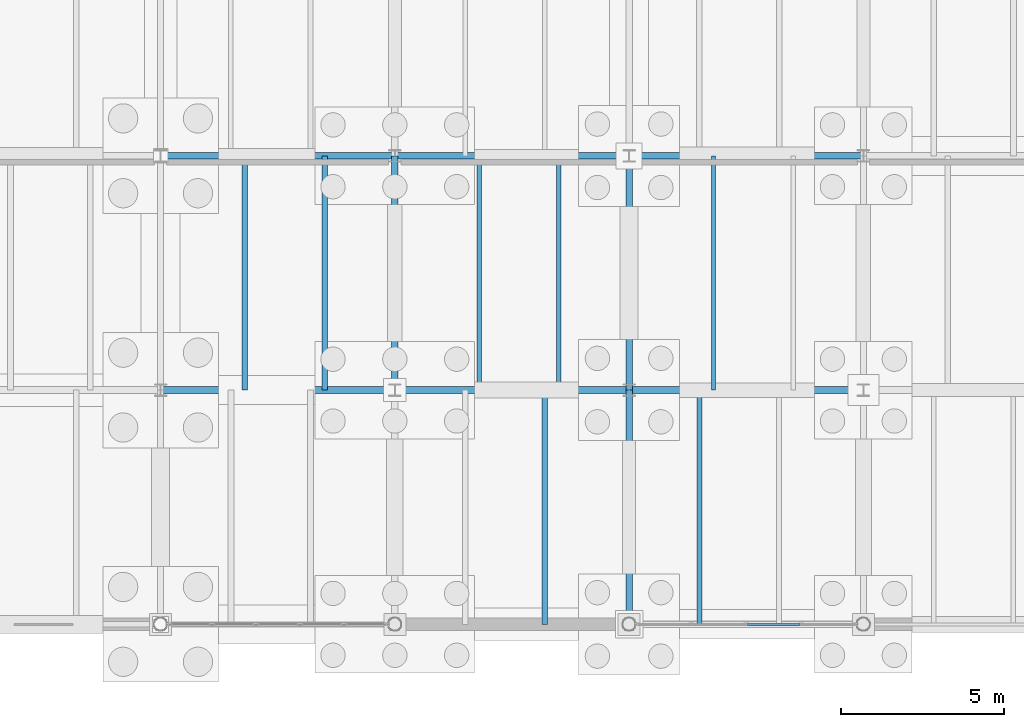
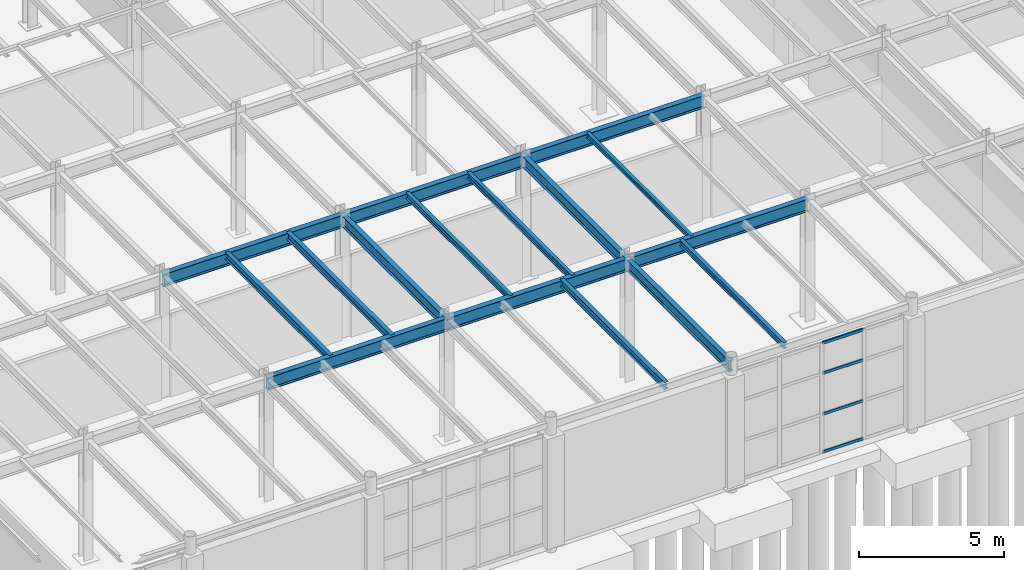
# One storey, part 52 of 293: 16 beams, 4 members, 1 element without a shape of its own.
"""IFC4 building model written with IfcOpenShell, lengths in metres."""

from ifc_helpers import new_model, si_unit, direction, frame, origin, origin_2d, place, context, subcontext, project, spatial, hollow_rectangle, i_section, extrude, material, layer, layer_set, material_profile, profile_set, type_object, element, aggregate, save


model = new_model("IFC4")

# Units and contexts
model_context = context("Model", 3, precision=1e-05, world=origin(), true_north=direction((0.0, 1.0)))
body_context = subcontext(model_context, "Body", "Model", "MODEL_VIEW")
ifc_project = project(units=[si_unit("LENGTHUNIT", "METRE"), si_unit("AREAUNIT", "SQUARE_METRE"), si_unit("VOLUMEUNIT", "CUBIC_METRE"), si_unit("PLANEANGLEUNIT", "RADIAN"), si_unit("MASSUNIT", "GRAM", prefix="KILO")], contexts=[model_context])

# Site, building, storey
site_placement = place(None, origin())
site = spatial("IfcSite", under=ifc_project, at=site_placement, CompositionType="ELEMENT")
building_placement = place(site_placement, origin())
building = spatial("IfcBuilding", under=site, at=building_placement, Name="Kemerveld Promenade Tramway Depot", CompositionType="ELEMENT")
storey_placement = place(building_placement, origin())
storey = spatial("IfcBuildingStorey", under=building, at=storey_placement, Name="L00", CompositionType="ELEMENT", Elevation=0.0)

# Beams
ifc_material_1 = material(Name="Steel S355", Category="steel")
ifc_material_profile_1 = material_profile(ifc_material_1, i_section(OverallWidth=0.2099609375, OverallDepth=0.53662109375, WebThickness=0.0107421875, FlangeThickness=0.017333984375, FilletRadius=0.0126953125, at=origin_2d()), Name="533x210x101 UB")
ifc_profile_set_1 = profile_set([ifc_material_profile_1], Name="Steel S355")
beam_type_1 = type_object("IfcBeamType", Name="BM-G05", PredefinedType="BEAM", material=ifc_profile_set_1)
for number, where, z_axis, x_axis, name in (
    (1, (28.800048828125, 7.199951171875, 4.881591796875), (1.0, 0.0, 0.0), (0.0, 1.0, 0.0), "BMX-L00-05-06-B"),
    (2, (36.0, 7.199951171875, 4.881591796875), (1.0, 0.0, 0.0), (0.0, 1.0, 0.0), "BMX-L00-06-07-B"),
    (3, (43.199951171875, 7.199951171875, 4.881591796875), (1.0, 0.0, 0.0), (0.0, 1.0, 0.0), "BMX-L00-07-08-B"),
    (4, (28.800048828125, 14.39990234375, 4.881591796875), (1.0, 0.0, 0.0), (0.0, 1.0, 0.0), "BMX-L00-05-06-C"),
    (5, (36.0, 14.39990234375, 4.881591796875), (1.0, 0.0, 0.0), (0.0, 1.0, 0.0), "BMX-L00-06-07-C"),
    (6, (43.199951171875, 14.39990234375, 4.881591796875), (1.0, 0.0, 0.0), (0.0, 1.0, 0.0), "BMX-L00-07-08-C"),
):
    element("IfcBeam", number, at=place(storey_placement, frame(where, z_axis=z_axis, x_axis=x_axis)), inside=storey, type_object=beam_type_1, Name=name, PredefinedType="BEAM", context=body_context, shape_type="SweptSolid", body=[
        extrude(i_section(OverallWidth=0.2099609375, OverallDepth=0.53662109375, WebThickness=0.0107421875, FlangeThickness=0.017333984375, FilletRadius=0.0126953125, at=origin_2d()), origin(), (0.0, 0.0, 1.0), 7.199951171875),
    ])
ifc_material_profile_2 = material_profile(ifc_material_1, i_section(OverallWidth=0.19140625, OverallDepth=0.4599609375, WebThickness=0.010009765625, FlangeThickness=0.01611328125, FilletRadius=0.01025390625, at=origin_2d()), Name="457x191x82 UB")
ifc_profile_set_2 = profile_set([ifc_material_profile_2], Name="Steel S355")
beam_type_2 = type_object("IfcBeamType", Name="BM-G06", PredefinedType="BEAM", material=ifc_profile_set_2)
for number, where, z_axis, x_axis, name in (
    (7, (36.0, 7.199951171875, 4.919921875), (0.0, 1.0, 0.0), (-1.0, 0.0, 0.0), "BMY-L00-06-B-C"),
    (8, (43.199951171875, 0.0, 4.919921875), (0.0, 1.0, 0.0), (-1.0, 0.0, 0.0), "BMY-L00-07-A-B"),
    (9, (43.199951171875, 7.199951171875, 4.919921875), (0.0, 1.0, 0.0), (-1.0, 0.0, 0.0), "BMY-L00-07-B-C"),
):
    element("IfcBeam", number, at=place(storey_placement, frame(where, z_axis=z_axis, x_axis=x_axis)), inside=storey, type_object=beam_type_2, Name=name, PredefinedType="BEAM", context=body_context, shape_type="SweptSolid", body=[
        extrude(i_section(OverallWidth=0.19140625, OverallDepth=0.4599609375, WebThickness=0.010009765625, FlangeThickness=0.01611328125, FilletRadius=0.01025390625, at=origin_2d()), origin(), (0.0, 0.0, 1.0), 7.199951171875),
    ])
ifc_material_profile_3 = material_profile(ifc_material_1, i_section(OverallWidth=0.165771484375, OverallDepth=0.306640625, WebThickness=0.006591796875, FlangeThickness=0.01171875, FilletRadius=0.0087890625, at=origin_2d()), Name="305x165x46 UB")
ifc_profile_set_3 = profile_set([ifc_material_profile_3], Name="Steel S355")
beam_type_3 = type_object("IfcBeamType", Name="BM-J01", PredefinedType="JOIST", material=ifc_profile_set_3)
for number, where, z_axis, x_axis, name in (
    (10, (31.39208984375, 7.199951171875, 4.99658203125), (0.0, 1.0, 0.0), (-1.0, 0.0, 0.0), "JST-L00-05-B-1"),
    (11, (33.840087890625, 7.199951171875, 4.99658203125), (0.0, 1.0, 0.0), (-1.0, 0.0, 0.0), "JST-L00-05-B-2"),
    (12, (40.60791015625, 0.0, 4.99658203125), (0.0, 1.0, 0.0), (-1.0, 0.0, 0.0), "JST-L00-06-A-2"),
):
    element("IfcBeam", number, at=place(storey_placement, frame(where, z_axis=z_axis, x_axis=x_axis)), inside=storey, type_object=beam_type_3, Name=name, PredefinedType="JOIST", context=body_context, shape_type="SweptSolid", body=[
        extrude(i_section(OverallWidth=0.165771484375, OverallDepth=0.306640625, WebThickness=0.006591796875, FlangeThickness=0.01171875, FilletRadius=0.0087890625, at=origin_2d()), origin(), (0.0, 0.0, 1.0), 7.199951171875),
    ])
ifc_material_profile_4 = material_profile(ifc_material_1, i_section(OverallWidth=0.146484375, OverallDepth=0.256103515625, WebThickness=0.00634765625, FlangeThickness=0.010986328125, FilletRadius=0.007568359375, at=origin_2d()), Name="254x146x37 UB")
ifc_profile_set_4 = profile_set([ifc_material_profile_4], Name="Steel S355")
beam_type_4 = type_object("IfcBeamType", Name="BM-J02", PredefinedType="JOIST", material=ifc_profile_set_4)
for number, where, z_axis, x_axis, name in (
    (13, (38.592041015625, 7.199951171875, 5.02197265625), (0.0, 1.0, 0.0), (-1.0, 0.0, 0.0), "JST-L00-06-B-1"),
    (14, (41.0400390625, 7.199951171875, 5.02197265625), (0.0, 1.0, 0.0), (-1.0, 0.0, 0.0), "JST-L00-06-B-2"),
    (15, (45.360107421875, 0.0, 5.02197265625), (0.0, 1.0, 0.0), (-1.0, 0.0, 0.0), "JST-L00-07-A-1"),
):
    element("IfcBeam", number, at=place(storey_placement, frame(where, z_axis=z_axis, x_axis=x_axis)), inside=storey, type_object=beam_type_4, Name=name, PredefinedType="JOIST", context=body_context, shape_type="SweptSolid", body=[
        extrude(i_section(OverallWidth=0.146484375, OverallDepth=0.256103515625, WebThickness=0.00634765625, FlangeThickness=0.010986328125, FilletRadius=0.007568359375, at=origin_2d()), origin(), (0.0, 0.0, 1.0), 7.199951171875),
    ])
ifc_material_profile_5 = material_profile(ifc_material_1, i_section(OverallWidth=0.13330078125, OverallDepth=0.203125, WebThickness=0.005615234375, FlangeThickness=0.0078125, FilletRadius=0.007568359375, at=origin_2d()), Name="203x133x25 UB")
ifc_profile_set_5 = profile_set([ifc_material_profile_5], Name="Steel S355")
beam_type_5 = type_object("IfcBeamType", Name="BM-J03", PredefinedType="JOIST", material=ifc_profile_set_5)
beam_placement = place(storey_placement, frame((45.7919921875, 7.199951171875, 5.04833984375), z_axis=(0.0, 1.0, 0.0), x_axis=(-1.0, 0.0, 0.0)))
element("IfcBeam", 16, at=beam_placement, inside=storey, type_object=beam_type_5, Name="JST-L00-07-B-1", PredefinedType="JOIST", context=body_context, shape_type="SweptSolid", body=[
    extrude(i_section(OverallWidth=0.13330078125, OverallDepth=0.203125, WebThickness=0.005615234375, FlangeThickness=0.0078125, FilletRadius=0.007568359375, at=origin_2d()), origin(), (0.0, 0.0, 1.0), 7.199951171875),
])

# Curtain wall, members
ifc_material_2 = material(Name="Bronze anodised aluminium and solar glass", Category="aluminium")
ifc_layer = layer(ifc_material_2, 0.159912109375)
ifc_layer_set = layer_set([ifc_layer], Name="CW-SYS-05")
curtain_wall_type = type_object("IfcCurtainWallType", Name="CW-SYS-05", PredefinedType="USERDEFINED", material=ifc_layer_set)
curtain_wall_placement = place(storey_placement, origin())
curtain_wall = element("IfcCurtainWall", 17, at=curtain_wall_placement, inside=storey, type_object=curtain_wall_type, Name="CW-L00-V5S-02", ObjectType="GLAZED_CURTAIN_WALL", PredefinedType="USERDEFINED")
ifc_material_3 = material(Name="Bronze anodised aluminium", Category="aluminium")
ifc_material_profile_6 = material_profile(ifc_material_3, hollow_rectangle(XDim=0.06005859375, YDim=0.1201171875, WallThickness=0.00390625, InnerFilletRadius=0.001953125, OuterFilletRadius=0.00390625, at=origin_2d()), Name="CW-TRN-120x60")
ifc_profile_set_6 = profile_set([ifc_material_profile_6], Name="Bronze anodised aluminium")
member_type = type_object("IfcMemberType", Name="CW-TRN-A", PredefinedType="USERDEFINED", material=ifc_profile_set_6)
member_1_placement = place(storey_placement, frame((48.455810546875, 0.0, 0.030029296875), z_axis=(-1.0, 0.0, 0.0), x_axis=(0.0, -1.0, 0.0)))
member_1 = element("IfcMember", 18, at=member_1_placement, type_object=member_type, Name="CW05 transom 2.1", ObjectType="TRANSOM", PredefinedType="USERDEFINED", context=body_context, shape_type="SweptSolid", body=[
    extrude(hollow_rectangle(XDim=0.06005859375, YDim=0.1201171875, WallThickness=0.00390625, InnerFilletRadius=0.001953125, OuterFilletRadius=0.00390625, at=origin_2d()), origin(), (0.0, 0.0, 1.0), 1.623291015625),
])
member_2_placement = place(storey_placement, frame((48.455810546875, 0.0, 1.626953125), z_axis=(-1.0, 0.0, 0.0), x_axis=(0.0, -1.0, 0.0)))
member_2 = element("IfcMember", 19, at=member_2_placement, type_object=member_type, Name="CW05 transom 2.2", ObjectType="TRANSOM", PredefinedType="USERDEFINED", context=body_context, shape_type="SweptSolid", body=[
    extrude(hollow_rectangle(XDim=0.06005859375, YDim=0.1201171875, WallThickness=0.00390625, InnerFilletRadius=0.001953125, OuterFilletRadius=0.00390625, at=origin_2d()), origin(), (0.0, 0.0, 1.0), 1.623291015625),
])
member_3_placement = place(storey_placement, frame((48.455810546875, 0.0, 3.347900390625), z_axis=(-1.0, 0.0, 0.0), x_axis=(0.0, -1.0, 0.0)))
member_3 = element("IfcMember", 20, at=member_3_placement, type_object=member_type, Name="CW05 transom 2.3", ObjectType="TRANSOM", PredefinedType="USERDEFINED", context=body_context, shape_type="SweptSolid", body=[
    extrude(hollow_rectangle(XDim=0.06005859375, YDim=0.1201171875, WallThickness=0.00390625, InnerFilletRadius=0.001953125, OuterFilletRadius=0.00390625, at=origin_2d()), origin(), (0.0, 0.0, 1.0), 1.623291015625),
])
member_4_placement = place(storey_placement, frame((48.455810546875, 0.0, 4.6201171875), z_axis=(-1.0, 0.0, 0.0), x_axis=(0.0, -1.0, 0.0)))
member_4 = element("IfcMember", 21, at=member_4_placement, type_object=member_type, Name="CW05 transom 2.4", ObjectType="TRANSOM", PredefinedType="USERDEFINED", context=body_context, shape_type="SweptSolid", body=[
    extrude(hollow_rectangle(XDim=0.06005859375, YDim=0.1201171875, WallThickness=0.00390625, InnerFilletRadius=0.001953125, OuterFilletRadius=0.00390625, at=origin_2d()), origin(), (0.0, 0.0, 1.0), 1.623291015625),
])
aggregate(curtain_wall, [member_1, member_2, member_3, member_4])

save(model, "model.ifc")
